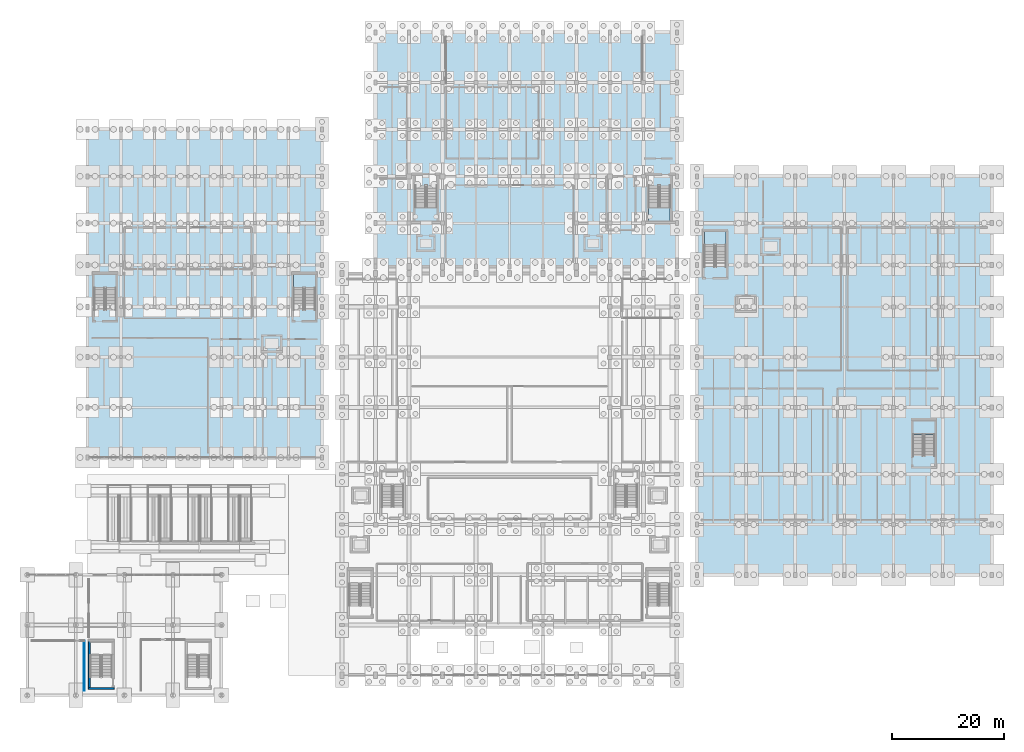
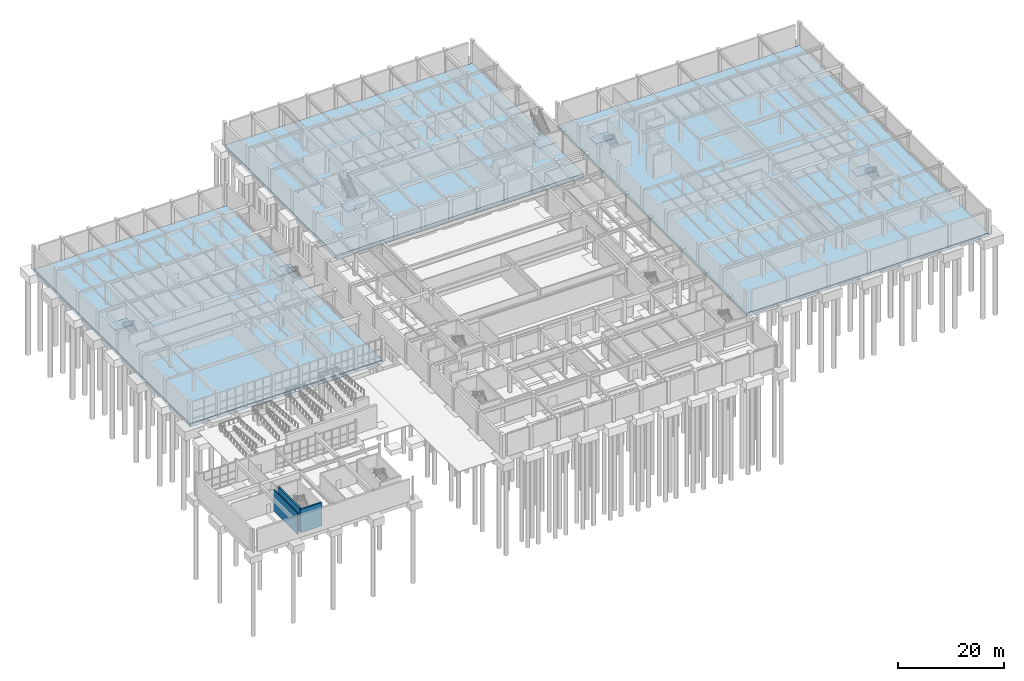
# One storey, part 46 of 69: 9 slabs, 3 walls, 6 elements without a shape of their own.
"""IFC4 building model written with IfcOpenShell, lengths in metres."""

import ifcopenshell
import ifcopenshell.guid

model = None  # the IFC model being written
_history = None  # IfcOwnerHistory: only IFC2X3 demands one
_inside = {}  # id of a spatial element -> (the spatial element, [elements in it])
_under = {}  # id of a project, library or spatial element -> (it, [spatial elements below it])
_declared = {}  # id of a project -> (the project, [libraries it declares])
_typed = {}  # id of a type object -> (the type object, [elements of that type])
_made_of = {}  # id of a material, layer set ... -> (it, [elements and type objects made of it])


def new_model(schema):
    """Start an empty IFC model of exactly this schema.

    Asked for "IFC4X3", IfcOpenShell would pick the latest addendum, in which some entities
    have other attributes; the version numbers below select the first issue.
    IFC2X3 requires an IfcOwnerHistory on every rooted entity: one is made here for all.
    """
    global model, _history
    if schema == "IFC4X3":
        model = ifcopenshell.file(schema_version=(4, 3, 0, 0))
    else:
        model = ifcopenshell.file(schema=schema)
    _inside.clear()
    _under.clear()
    _declared.clear()
    _typed.clear()
    _made_of.clear()
    _history = None
    if model.schema == "IFC2X3":
        org = make("IfcOrganization", Name="unknown")
        user = make(
            "IfcPersonAndOrganization",
            ThePerson=make("IfcPerson", FamilyName="unknown"),
            TheOrganization=org,
        )
        app = make(
            "IfcApplication",
            ApplicationDeveloper=org,
            Version="unknown",
            ApplicationFullName="unknown",
            ApplicationIdentifier="unknown",
        )
        _history = make(
            "IfcOwnerHistory",
            OwningUser=user,
            OwningApplication=app,
            ChangeAction="ADDED",
            CreationDate=0,
        )
    return model


def make(cls, **values):
    """One entity of the class cls with the attributes given. An attribute that is None is left unset."""
    return model.create_entity(
        cls, **{name: value for name, value in values.items() if value is not None}
    )


def rooted(cls, **values):
    """An entity with a GlobalId (a new one), such as an element, a storey or a relation."""
    return make(cls, GlobalId=ifcopenshell.guid.new(), OwnerHistory=_history, **values)


def si_unit(unit_type, name, prefix=None):
    """IfcSIUnit, for example si_unit("LENGTHUNIT", "METRE", prefix="MILLI")."""
    return make("IfcSIUnit", UnitType=unit_type, Prefix=prefix, Name=name)


def assignment(units):
    """IfcUnitAssignment: the units of a project."""
    return None if units is None else make("IfcUnitAssignment", Units=units)


def point(xyz):
    """IfcCartesianPoint."""
    return None if xyz is None else make("IfcCartesianPoint", Coordinates=xyz)


def direction(xyz):
    """IfcDirection."""
    return None if xyz is None else make("IfcDirection", DirectionRatios=xyz)


def frame(location, z_axis=None, x_axis=None):
    """IfcAxis2Placement3D, a coordinate frame: its origin and axes. An axis left out is left unset."""
    return make(
        "IfcAxis2Placement3D",
        Location=point(location),
        Axis=direction(z_axis),
        RefDirection=direction(x_axis),
    )


def frame_2d(location, x_axis=None):
    """IfcAxis2Placement2D, a coordinate frame in the plane: its origin and x axis."""
    return make(
        "IfcAxis2Placement2D", Location=point(location), RefDirection=direction(x_axis)
    )


def origin():
    """The frame at (0, 0, 0) with its axes left unset."""
    return frame((0.0, 0.0, 0.0))


def place(relative_to, where):
    """IfcLocalPlacement: puts the frame where relative to a parent placement (None: the world)."""
    return make(
        "IfcLocalPlacement", PlacementRelTo=relative_to, RelativePlacement=where
    )


def context(
    kind, dimensions, precision=None, world=None, true_north=None, identifier=None
):
    """IfcGeometricRepresentationContext, for example the 3D "Model" context."""
    return make(
        "IfcGeometricRepresentationContext",
        ContextIdentifier=identifier,
        ContextType=kind,
        CoordinateSpaceDimension=dimensions,
        Precision=precision,
        WorldCoordinateSystem=world,
        TrueNorth=true_north,
    )


def subcontext(parent, identifier, kind, view, scale=None):
    """IfcGeometricRepresentationSubContext, for example "Body" below "Model"."""
    return make(
        "IfcGeometricRepresentationSubContext",
        ContextIdentifier=identifier,
        ContextType=kind,
        ParentContext=parent,
        TargetScale=scale,
        TargetView=view,
    )


def project(units=None, contexts=None):
    """IfcProject with its units and contexts."""
    return rooted(
        "IfcProject",
        Name="project",
        RepresentationContexts=contexts,
        UnitsInContext=assignment(units),
    )


def spatial(cls, under=None, at=None, **own):
    """A site, building, storey or space (cls), placed at a placement, below another one or the project."""
    s = rooted(cls, ObjectPlacement=at, **own)
    if under is not None:
        _under.setdefault(under.id(), (under, []))[1].append(s)
    return s


def polyline(points):
    """IfcPolyline through the points."""
    return make("IfcPolyline", Points=[point(p) for p in points])


def profile(cls, at=None, kind="AREA", **sizes):
    """A parametric profile (cls). Its sizes go by their IFC names, for example OverallWidth=200.0."""
    return make(cls, ProfileType=kind, Position=at, **sizes)


def rectangle(**sizes):
    """IfcRectangleProfileDef."""
    return profile("IfcRectangleProfileDef", **sizes)


def outline(outer, holes=None, kind="AREA"):
    """IfcArbitraryClosedProfileDef: a profile drawn as a closed curve; with holes, ...WithVoids."""
    if holes is None:
        return make("IfcArbitraryClosedProfileDef", ProfileType=kind, OuterCurve=outer)
    return make(
        "IfcArbitraryProfileDefWithVoids",
        ProfileType=kind,
        OuterCurve=outer,
        InnerCurves=holes,
    )


def extrude(swept, where, along, depth):
    """IfcExtrudedAreaSolid: the profile swept, set in the frame where, extruded along a direction by depth."""
    return make(
        "IfcExtrudedAreaSolid",
        SweptArea=swept,
        Position=where,
        ExtrudedDirection=direction(along),
        Depth=depth,
    )


def shape(context_of_items, identifier, shape_type, items):
    """IfcShapeRepresentation: the items that make up one representation, for example the "Body"."""
    return make(
        "IfcShapeRepresentation",
        ContextOfItems=context_of_items,
        RepresentationIdentifier=identifier,
        RepresentationType=shape_type,
        Items=items,
    )


def material(Name=None, Category=None):
    """IfcMaterial."""
    return make("IfcMaterial", Name=Name, Category=Category)


def layer(
    of_material, thickness, ventilated=None, Name=None, Category=None, Priority=None
):
    """IfcMaterialLayer: one layer of a wall or slab, of a material (None: an air gap)."""
    return make(
        "IfcMaterialLayer",
        Material=of_material,
        LayerThickness=thickness,
        IsVentilated=ventilated,
        Name=Name,
        Category=Category,
        Priority=Priority,
    )


def layer_set(layers, Name=None):
    """IfcMaterialLayerSet."""
    return make("IfcMaterialLayerSet", MaterialLayers=layers, LayerSetName=Name)


def made_of(thing, what):
    """Note that an element or type object is made of a material, layer set ...; save() writes the relation."""
    if what is not None:
        _made_of.setdefault(what.id(), (what, []))[1].append(thing)
    return thing


def type_object(cls, material=None, **own):
    """A type object (cls), such as IfcWallType, which elements share."""
    return made_of(rooted(cls, **own), material)


def element(
    cls,
    number,
    at=None,
    inside=None,
    cuts=None,
    type_object=None,
    material=None,
    context=None,
    identifier="Body",
    shape_type=None,
    held_by="IfcProductDefinitionShape",
    body=None,
    shapes=None,
    **own,
):
    """One element of the class cls, such as IfcWall. Its Tag is "e" and its number.

    at: its placement. inside: the storey or other place that contains it. cuts: it is an
    opening in that element (IfcRelVoidsElement). A single representation is given by context,
    identifier, shape_type and body (its items); several are given by shapes. held_by: the class
    of the entity that holds the representations. save() writes the other relations.
    """
    e = rooted(cls, Tag="e%d" % number, ObjectPlacement=at, **own)
    if body is not None:
        shapes = [shape(context, identifier, shape_type, body)]
    if shapes is not None:
        e.Representation = make(held_by, Representations=shapes)
    if inside is not None:
        _inside.setdefault(inside.id(), (inside, []))[1].append(e)
    if cuts is not None:
        rooted(
            "IfcRelVoidsElement", RelatingBuildingElement=cuts, RelatedOpeningElement=e
        )
    if type_object is not None:
        _typed.setdefault(type_object.id(), (type_object, []))[1].append(e)
    return made_of(e, material)


def aggregate(whole, parts):
    """IfcRelAggregates: a whole, such as a stair, and the parts it consists of."""
    return rooted("IfcRelAggregates", RelatingObject=whole, RelatedObjects=parts)


def save(model, path):
    """Write the relations noted so far, then the file.

    IfcRelAggregates (storeys below a building ...), IfcRelContainedInSpatialStructure (elements
    in a storey), IfcRelDefinesByType, IfcRelAssociatesMaterial and IfcRelDeclares: one each for
    every whole, place, type object, material and project.
    """
    for whole, parts in _under.values():
        aggregate(whole, parts)
    for where, things in _inside.values():
        rooted(
            "IfcRelContainedInSpatialStructure",
            RelatedElements=things,
            RelatingStructure=where,
        )
    for kind, things in _typed.values():
        rooted("IfcRelDefinesByType", RelatedObjects=things, RelatingType=kind)
    for what, things in _made_of.values():
        rooted("IfcRelAssociatesMaterial", RelatedObjects=things, RelatingMaterial=what)
    for by, libraries in _declared.values():
        rooted("IfcRelDeclares", RelatingContext=by, RelatedDefinitions=libraries)
    model.write(path)


model = new_model("IFC4")

# Units and contexts
model_context = context("Model", 3, precision=1e-05, world=origin(), true_north=direction((0.0, 1.0)))
body_context = subcontext(model_context, "Body", "Model", "MODEL_VIEW")
ifc_project = project(units=[si_unit("LENGTHUNIT", "METRE"), si_unit("AREAUNIT", "SQUARE_METRE"), si_unit("VOLUMEUNIT", "CUBIC_METRE"), si_unit("PLANEANGLEUNIT", "RADIAN"), si_unit("MASSUNIT", "GRAM", prefix="KILO")], contexts=[model_context])

# Site, building, storey
site_placement = place(None, origin())
site = spatial("IfcSite", under=ifc_project, at=site_placement, CompositionType="ELEMENT")
building_placement = place(site_placement, origin())
building = spatial("IfcBuilding", under=site, at=building_placement, Name="Vaelkrest Opera House", CompositionType="ELEMENT")
storey_placement = place(building_placement, frame((0.0, 0.0, -5.39990234375)))
storey = spatial("IfcBuildingStorey", under=building, at=storey_placement, Name="B1", CompositionType="ELEMENT", Elevation=-5.39990234375)

# Slabs
ifc_material_1 = material(Name="Concrete C40/50", Category="concrete")
ifc_layer_1 = layer(ifc_material_1, 0.719970703125)
ifc_layer_set_1 = layer_set([ifc_layer_1], Name="Concrete C40/50")
slab_type_1 = type_object("IfcSlabType", Name="BS02", PredefinedType="BASESLAB", material=ifc_layer_set_1)
slab_1_placement = place(storey_placement, frame((0.0, 0.0, -0.72021484375)))
element("IfcSlab", 1, at=slab_1_placement, inside=storey, type_object=slab_type_1, Name="Floor slab SLB-V4-B1-025", PredefinedType="BASESLAB", context=body_context, shape_type="SweptSolid", body=[
    extrude(outline(polyline([(33.60009765625, -37.800048828125), (86.39990234375, -37.800048828125), (86.39990234375, 33.60009765625), (33.60009765625, 33.60009765625), (33.60009765625, -37.800048828125)])), origin(), (0.0, 0.0, 1.0), 0.72021484375),
])
ifc_layer_2 = layer(ifc_material_1, 0.7900390625)
ifc_layer_set_2 = layer_set([ifc_layer_2], Name="Concrete C40/50")
slab_type_2 = type_object("IfcSlabType", Name="BS03", PredefinedType="BASESLAB", material=ifc_layer_set_2)
slab_2_placement = place(storey_placement, frame((0.0, 0.0, -0.7900390625)))
element("IfcSlab", 2, at=slab_2_placement, inside=storey, type_object=slab_type_2, Name="Floor slab SLB-V3-B1-018", PredefinedType="BASESLAB", context=body_context, shape_type="SweptSolid", body=[
    extrude(outline(polyline([(-75.60009765625, -16.800048828125), (-33.60009765625, -16.800048828125), (-33.60009765625, 42.0), (-75.60009765625, 42.0), (-75.60009765625, -16.800048828125)])), origin(), (0.0, 0.0, 1.0), 0.7900390625),
])
ifc_layer_3 = layer(ifc_material_1, 0.93994140625)
ifc_layer_set_3 = layer_set([ifc_layer_3], Name="Concrete C40/50")
slab_type_3 = type_object("IfcSlabType", Name="BS05", PredefinedType="BASESLAB", material=ifc_layer_set_3)
slab_3_placement = place(storey_placement, frame((0.0, 0.0, -0.940185546875)))
element("IfcSlab", 3, at=slab_3_placement, inside=storey, type_object=slab_type_3, Name="Floor slab SLB-V2-B1-009", PredefinedType="BASESLAB", context=body_context, shape_type="SweptSolid", body=[
    extrude(outline(polyline([(-24.0, 17.39990234375), (30.0, 17.39990234375), (30.0, 59.39990234375), (-24.0, 59.39990234375), (-24.0, 17.39990234375)])), origin(), (0.0, 0.0, 1.0), 0.940185546875),
])

# Stair, slab
stair_type_1 = type_object("IfcStairType", Name="ST05", PredefinedType="TWO_STRAIGHT_RUN_STAIR", material=ifc_material_1)
stair_1_placement = place(storey_placement, origin())
stair_1 = element("IfcStair", 4, at=stair_1_placement, inside=storey, type_object=stair_type_1, Name="B1 Protected exit stair ST05", PredefinedType="TWO_STRAIGHT_RUN_STAIR")
ifc_layer_4 = layer(ifc_material_1, 0.199951171875)
ifc_layer_set_4 = layer_set([ifc_layer_4], Name="Concrete C40/50")
slab_type_4 = type_object("IfcSlabType", Name="SLD01", PredefinedType="LANDING", material=ifc_layer_set_4)
slab_4_placement = place(storey_placement, frame((0.0, 0.0, 2.5)))
slab_4 = element("IfcSlab", 5, at=slab_4_placement, type_object=slab_type_4, Name="ST05 landing 1", PredefinedType="LANDING", context=body_context, shape_type="SweptSolid", body=[
    extrude(outline(polyline([(-16.89990234375, 28.030029296875), (-16.89990234375, 25.5), (-13.0, 25.5), (-13.0, 28.030029296875), (-16.89990234375, 28.030029296875)])), origin(), (0.0, 0.0, 1.0), 0.199951171875),
])
aggregate(stair_1, [slab_4])

stair_type_2 = type_object("IfcStairType", Name="ST06", PredefinedType="TWO_STRAIGHT_RUN_STAIR", material=ifc_material_1)
stair_2_placement = place(storey_placement, origin())
stair_2 = element("IfcStair", 6, at=stair_2_placement, inside=storey, type_object=stair_type_2, Name="B1 Protected exit stair ST06", PredefinedType="TWO_STRAIGHT_RUN_STAIR")
slab_5_placement = place(storey_placement, frame((0.0, 0.0, 2.5)))
slab_5 = element("IfcSlab", 7, at=slab_5_placement, type_object=slab_type_4, Name="ST06 landing 1", PredefinedType="LANDING", context=body_context, shape_type="SweptSolid", body=[
    extrude(outline(polyline([(24.89990234375, 28.030029296875), (24.89990234375, 25.5), (28.800048828125, 25.5), (28.800048828125, 28.030029296875), (24.89990234375, 28.030029296875)])), origin(), (0.0, 0.0, 1.0), 0.199951171875),
])
aggregate(stair_2, [slab_5])

stair_type_3 = type_object("IfcStairType", Name="ST07", PredefinedType="TWO_STRAIGHT_RUN_STAIR", material=ifc_material_1)
stair_3_placement = place(storey_placement, origin())
stair_3 = element("IfcStair", 8, at=stair_3_placement, inside=storey, type_object=stair_type_3, Name="B1 Protected exit stair ST07", PredefinedType="TWO_STRAIGHT_RUN_STAIR")
slab_6_placement = place(storey_placement, frame((0.0, 0.0, 2.5)))
slab_6 = element("IfcSlab", 9, at=slab_6_placement, type_object=slab_type_4, Name="ST07 landing 1", PredefinedType="LANDING", context=body_context, shape_type="SweptSolid", body=[
    extrude(outline(polyline([(-70.5, 13.570068359375), (-70.5, 16.10009765625), (-74.39990234375, 16.10009765625), (-74.39990234375, 13.570068359375), (-70.5, 13.570068359375)])), origin(), (0.0, 0.0, 1.0), 0.199951171875),
])
aggregate(stair_3, [slab_6])

stair_type_4 = type_object("IfcStairType", Name="ST08", PredefinedType="TWO_STRAIGHT_RUN_STAIR", material=ifc_material_1)
stair_4_placement = place(storey_placement, origin())
stair_4 = element("IfcStair", 10, at=stair_4_placement, inside=storey, type_object=stair_type_4, Name="B1 Protected exit stair ST08", PredefinedType="TWO_STRAIGHT_RUN_STAIR")
slab_7_placement = place(storey_placement, frame((0.0, 0.0, 2.5)))
slab_7 = element("IfcSlab", 11, at=slab_7_placement, type_object=slab_type_4, Name="ST08 landing 1", PredefinedType="LANDING", context=body_context, shape_type="SweptSolid", body=[
    extrude(outline(polyline([(-34.800048828125, 13.570068359375), (-34.800048828125, 16.10009765625), (-38.699951171875, 16.10009765625), (-38.699951171875, 13.570068359375), (-34.800048828125, 13.570068359375)])), origin(), (0.0, 0.0, 1.0), 0.199951171875),
])
aggregate(stair_4, [slab_7])

stair_type_5 = type_object("IfcStairType", Name="ST09", PredefinedType="TWO_STRAIGHT_RUN_STAIR", material=ifc_material_1)
stair_5_placement = place(storey_placement, origin())
stair_5 = element("IfcStair", 12, at=stair_5_placement, inside=storey, type_object=stair_type_5, Name="B1 Protected exit stair ST09", PredefinedType="TWO_STRAIGHT_RUN_STAIR")
slab_8_placement = place(storey_placement, frame((0.0, 0.0, 2.5)))
slab_8 = element("IfcSlab", 13, at=slab_8_placement, type_object=slab_type_4, Name="ST09 landing 1", PredefinedType="LANDING", context=body_context, shape_type="SweptSolid", body=[
    extrude(outline(polyline([(38.800048828125, 21.27001953125), (38.800048828125, 23.800048828125), (34.89990234375, 23.800048828125), (34.89990234375, 21.27001953125), (38.800048828125, 21.27001953125)])), origin(), (0.0, 0.0, 1.0), 0.199951171875),
])
aggregate(stair_5, [slab_8])

stair_type_6 = type_object("IfcStairType", Name="ST10", PredefinedType="TWO_STRAIGHT_RUN_STAIR", material=ifc_material_1)
stair_6_placement = place(storey_placement, origin())
stair_6 = element("IfcStair", 14, at=stair_6_placement, inside=storey, type_object=stair_type_6, Name="B1 Protected exit stair ST10", PredefinedType="TWO_STRAIGHT_RUN_STAIR")
slab_9_placement = place(storey_placement, frame((0.0, 0.0, 2.5)))
slab_9 = element("IfcSlab", 15, at=slab_9_placement, type_object=slab_type_4, Name="ST10 landing 1", PredefinedType="LANDING", context=body_context, shape_type="SweptSolid", body=[
    extrude(outline(polyline([(76.199951171875, -12.6298828125), (76.199951171875, -10.10009765625), (72.300048828125, -10.10009765625), (72.300048828125, -12.6298828125), (76.199951171875, -12.6298828125)])), origin(), (0.0, 0.0, 1.0), 0.199951171875),
])
aggregate(stair_6, [slab_9])

# Walls
ifc_material_2 = material(Name="Gypsum acoustic board", Category="gypsum")
ifc_layer_5 = layer(ifc_material_2, 0.14990234375)
ifc_layer_set_5 = layer_set([ifc_layer_5], Name="Gypsum acoustic board")
wall_type_1 = type_object("IfcWallType", Name="PT03", PredefinedType="PARTITIONING", material=ifc_layer_set_5)
wall_1_placement = place(storey_placement, frame((-76.199951171875, -58.60009765625, 0.0), z_axis=(0.0, 0.0, 1.0), x_axis=(0.0, 1.0, 0.0)))
element("IfcWall", 16, at=wall_1_placement, inside=storey, type_object=wall_type_1, Name="Interior partition PT-V5-B1-0409", PredefinedType="PARTITIONING", context=body_context, shape_type="SweptSolid", body=[
    extrude(rectangle(XDim=9.0, YDim=0.14990234375, at=frame_2d((4.5, 0.0))), origin(), (0.0, 0.0, 1.0), 5.02001953125),
])
ifc_material_3 = material(Name="Concrete C50/60", Category="concrete")
ifc_layer_6 = layer(ifc_material_3, 0.35009765625)
ifc_layer_set_6 = layer_set([ifc_layer_6], Name="Concrete C50/60")
wall_type_2 = type_object("IfcWallType", Name="SW01", PredefinedType="SHEAR", material=ifc_layer_set_6)
wall_2_placement = place(storey_placement, frame((-70.85009765625, -58.175048828125, 0.0), z_axis=(0.0, 0.0, 1.0), x_axis=(-1.0, 0.0, 0.0)))
element("IfcWall", 17, at=wall_2_placement, inside=storey, type_object=wall_type_2, Name="Stair core ST11 wall B1 S", PredefinedType="SHEAR", context=body_context, shape_type="SweptSolid", body=[
    extrude(rectangle(XDim=4.599853515625, YDim=0.35009765625, at=frame_2d((2.2998046875, 0.0))), origin(), (0.0, 0.0, 1.0), 5.39990234375),
])
wall_3_placement = place(storey_placement, frame((-75.27490234375, -58.0, 0.0), z_axis=(0.0, 0.0, 1.0), x_axis=(0.0, 1.0, 0.0)))
element("IfcWall", 18, at=wall_3_placement, inside=storey, type_object=wall_type_2, Name="Stair core ST11 wall B1 W", PredefinedType="SHEAR", context=body_context, shape_type="SweptSolid", body=[
    extrude(rectangle(XDim=8.300048828125, YDim=0.35009765625, at=frame_2d((4.14990234375, 0.0))), origin(), (0.0, 0.0, 1.0), 5.39990234375),
])

save(model, "model.ifc")
